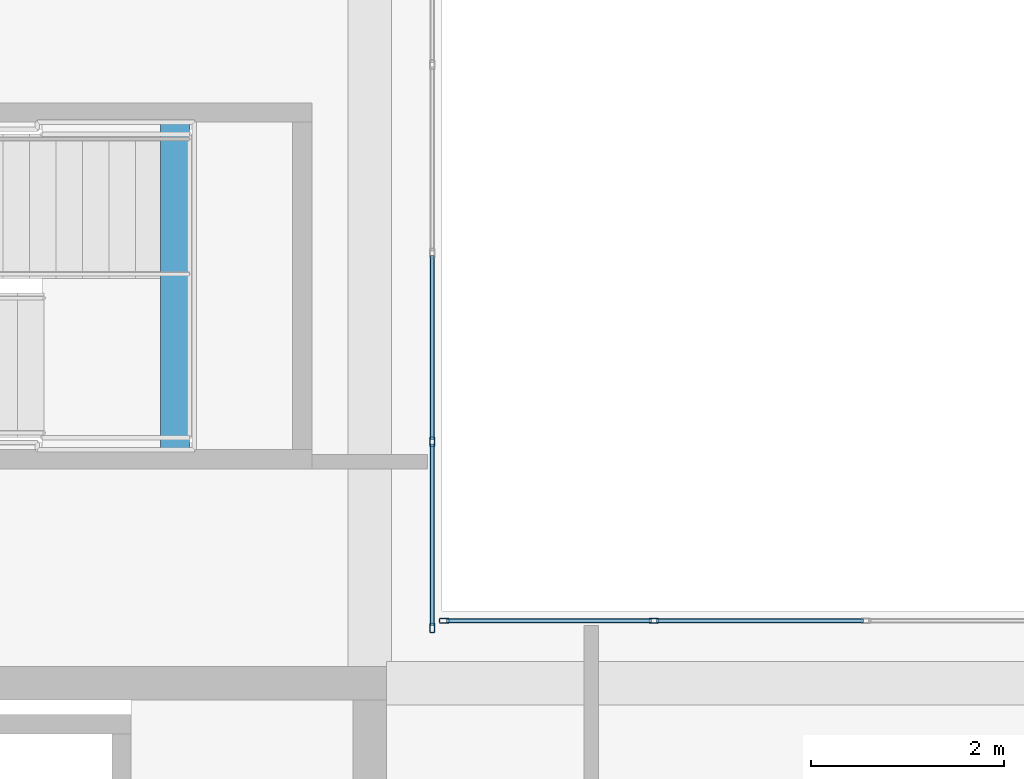
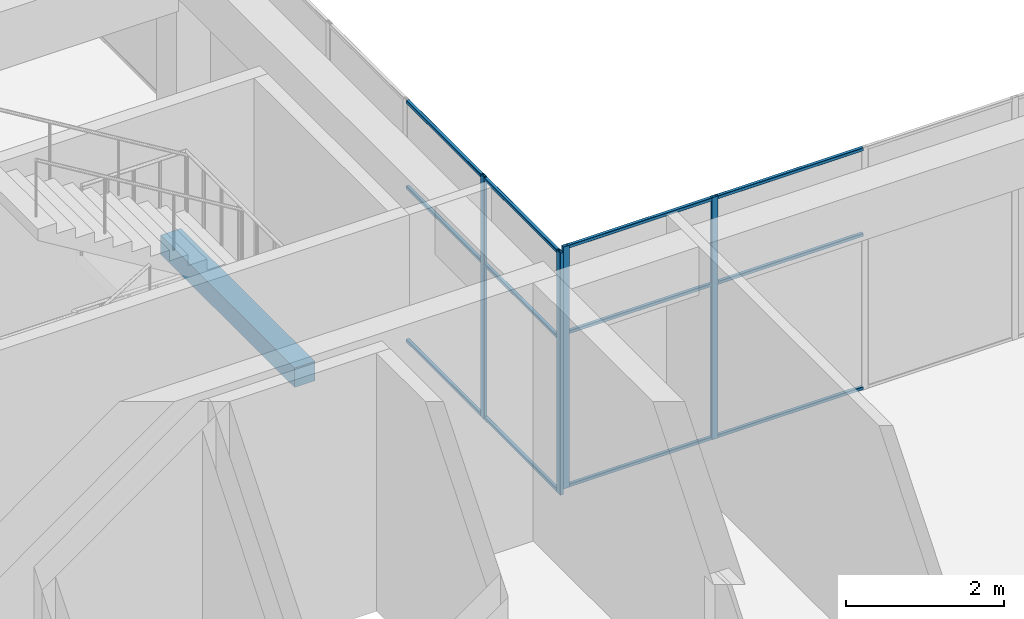
# One storey, part 14 of 34: 16 members, 1 beam, 2 elements without a shape of their own.
"""IFC4 building model written with IfcOpenShell, lengths in metres."""

from ifc_helpers import new_model, si_unit, direction, frame, origin, origin_2d, place, context, subcontext, project, spatial, rectangle, hollow_rectangle, extrude, material, layer, layer_set, material_profile, profile_set, type_object, element, aggregate, save


model = new_model("IFC4")

# Units and contexts
model_context = context("Model", 3, precision=1e-05, world=origin(), true_north=direction((0.0, 1.0)))
body_context = subcontext(model_context, "Body", "Model", "MODEL_VIEW")
ifc_project = project(units=[si_unit("LENGTHUNIT", "METRE"), si_unit("AREAUNIT", "SQUARE_METRE"), si_unit("VOLUMEUNIT", "CUBIC_METRE"), si_unit("PLANEANGLEUNIT", "RADIAN"), si_unit("MASSUNIT", "GRAM", prefix="KILO")], contexts=[model_context])

# Site, building, storey
site_placement = place(None, origin())
site = spatial("IfcSite", under=ifc_project, at=site_placement, CompositionType="ELEMENT")
building_placement = place(site_placement, origin())
building = spatial("IfcBuilding", under=site, at=building_placement, Name="Tuart Plaza Theatre", CompositionType="ELEMENT")
storey_placement = place(building_placement, frame((0.0, 0.0, 57.5)))
storey = spatial("IfcBuildingStorey", under=building, at=storey_placement, Name="L14", CompositionType="ELEMENT", Elevation=57.5)

# Beam
ifc_material_1 = material(Name="Concrete N40 (40 MPa)", Category="concrete")
ifc_material_profile_1 = material_profile(ifc_material_1, rectangle(XDim=0.300048828125, YDim=0.300048828125, at=origin_2d()), Name="BEAM 300x300 Concrete N40 (40 MPa)")
ifc_profile_set_1 = profile_set([ifc_material_profile_1], Name="Concrete N40 (40 MPa)")
beam_type = type_object("IfcBeamType", Name="BEAM 300x300 Concrete N40 (40 MPa)", PredefinedType="BEAM", material=ifc_profile_set_1)
beam_placement = place(storey_placement, frame((138.97998046875, 85.425048828125, 1.64990234375), z_axis=(0.0, 1.0, 0.0), x_axis=(-1.0, 0.0, 0.0)))
element("IfcBeam", 1, at=beam_placement, inside=storey, type_object=beam_type, Name="RB526", PredefinedType="BEAM", context=body_context, shape_type="SweptSolid", body=[
    extrude(rectangle(XDim=0.300048828125, YDim=0.300048828125, at=origin_2d()), origin(), (0.0, 0.0, 1.0), 3.39990234375),
])

# Curtain wall, members
ifc_material_2 = material(Name="Aluminium and glass", Category="aluminium")
ifc_layer = layer(ifc_material_2, 0.10009765625)
ifc_layer_set = layer_set([ifc_layer], Name="CURTAIN WALL 2000 module")
curtain_wall_type = type_object("IfcCurtainWallType", Name="CURTAIN WALL 2000 module", PredefinedType="NOTDEFINED", material=ifc_layer_set)
curtain_wall_1_placement = place(storey_placement, origin())
curtain_wall_1 = element("IfcCurtainWall", 2, at=curtain_wall_1_placement, inside=storey, type_object=curtain_wall_type, Name="CW115", PredefinedType="NOTDEFINED")
ifc_material_3 = material(Name="Aluminium 6063-T5", Category="aluminium")
ifc_material_profile_2 = material_profile(ifc_material_3, hollow_rectangle(XDim=0.050048828125, YDim=0.10009765625, WallThickness=0.00390625, InnerFilletRadius=0.00390625, OuterFilletRadius=0.008056640625, at=origin_2d()), Name="RHS 100x50x4")
ifc_profile_set_2 = profile_set([ifc_material_profile_2], Name="Aluminium 6063-T5")
member_type_1 = type_object("IfcMemberType", Name="MULLION RHS 100x50x4", PredefinedType="MULLION", material=ifc_profile_set_2)
member_1_placement = place(storey_placement, frame((143.949951171875, 83.64990234375, 0.0), z_axis=(0.0, 0.0, 1.0), x_axis=(0.0, -1.0, 0.0)))
member_1 = element("IfcMember", 3, at=member_1_placement, type_object=member_type_1, Name="CW115 mullion 4", PredefinedType="MULLION", context=body_context, shape_type="SweptSolid", body=[
    extrude(hollow_rectangle(XDim=0.050048828125, YDim=0.10009765625, WallThickness=0.00390625, InnerFilletRadius=0.00390625, OuterFilletRadius=0.008056640625, at=origin_2d()), origin(), (0.0, 0.0, 1.0), 3.75),
])
member_2_placement = place(storey_placement, frame((141.77490234375, 83.64990234375, 0.0), z_axis=(0.0, 0.0, 1.0), x_axis=(0.0, -1.0, 0.0)))
member_2 = element("IfcMember", 4, at=member_2_placement, type_object=member_type_1, Name="CW115 mullion 5", PredefinedType="MULLION", context=body_context, shape_type="SweptSolid", body=[
    extrude(hollow_rectangle(XDim=0.050048828125, YDim=0.10009765625, WallThickness=0.00390625, InnerFilletRadius=0.00390625, OuterFilletRadius=0.008056640625, at=origin_2d()), origin(), (0.0, 0.0, 1.0), 3.75),
])

curtain_wall_2_placement = place(storey_placement, origin())
curtain_wall_2 = element("IfcCurtainWall", 5, at=curtain_wall_2_placement, inside=storey, type_object=curtain_wall_type, Name="CW116", PredefinedType="NOTDEFINED")
member_3_placement = place(storey_placement, frame((141.64990234375, 83.574951171875, 0.0), z_axis=(0.0, 0.0, 1.0), x_axis=(-1.0, 0.0, 0.0)))
member_3 = element("IfcMember", 6, at=member_3_placement, type_object=member_type_1, Name="CW116 mullion 1", PredefinedType="MULLION", context=body_context, shape_type="SweptSolid", body=[
    extrude(hollow_rectangle(XDim=0.050048828125, YDim=0.10009765625, WallThickness=0.00390625, InnerFilletRadius=0.00390625, OuterFilletRadius=0.008056640625, at=origin_2d()), origin(), (0.0, 0.0, 1.0), 3.75),
])
member_4_placement = place(storey_placement, frame((141.64990234375, 85.507080078125, 0.0), z_axis=(0.0, 0.0, 1.0), x_axis=(-1.0, 0.0, 0.0)))
member_4 = element("IfcMember", 7, at=member_4_placement, type_object=member_type_1, Name="CW116 mullion 2", PredefinedType="MULLION", context=body_context, shape_type="SweptSolid", body=[
    extrude(hollow_rectangle(XDim=0.050048828125, YDim=0.10009765625, WallThickness=0.00390625, InnerFilletRadius=0.00390625, OuterFilletRadius=0.008056640625, at=origin_2d()), origin(), (0.0, 0.0, 1.0), 3.75),
])

# Member
ifc_material_4 = material(Name="Aluminium 6063-T5", Category="aluminium")
ifc_material_profile_3 = material_profile(ifc_material_4, hollow_rectangle(XDim=0.050048828125, YDim=0.050048828125, WallThickness=0.00390625, InnerFilletRadius=0.00390625, OuterFilletRadius=0.008056640625, at=origin_2d()), Name="RHS 50x50x4")
ifc_profile_set_3 = profile_set([ifc_material_profile_3], Name="Aluminium 6063-T5")
member_type_2 = type_object("IfcMemberType", Name="TRANSOM RHS 50x50x4", PredefinedType="USERDEFINED", material=ifc_profile_set_3)
member_5_placement = place(storey_placement, frame((146.125, 83.64990234375, 0.02490234375), z_axis=(-1.0, 0.0, 0.0), x_axis=(0.0, -1.0, 0.0)))
member_5 = element("IfcMember", 8, at=member_5_placement, type_object=member_type_2, Name="CW115 transom 3.1", ObjectType="TRANSOM", PredefinedType="USERDEFINED", context=body_context, shape_type="SweptSolid", body=[
    extrude(hollow_rectangle(XDim=0.050048828125, YDim=0.050048828125, WallThickness=0.00390625, InnerFilletRadius=0.00390625, OuterFilletRadius=0.008056640625, at=origin_2d()), origin(), (0.0, 0.0, 1.0), 2.14990234375),
])

member_6_placement = place(storey_placement, frame((146.125, 83.64990234375, 2.39990234375), z_axis=(-1.0, 0.0, 0.0), x_axis=(0.0, -1.0, 0.0)))
member_6 = element("IfcMember", 9, at=member_6_placement, type_object=member_type_2, Name="CW115 transom 3.2", ObjectType="TRANSOM", PredefinedType="USERDEFINED", context=body_context, shape_type="SweptSolid", body=[
    extrude(hollow_rectangle(XDim=0.050048828125, YDim=0.050048828125, WallThickness=0.00390625, InnerFilletRadius=0.00390625, OuterFilletRadius=0.008056640625, at=origin_2d()), origin(), (0.0, 0.0, 1.0), 2.14990234375),
])

member_7_placement = place(storey_placement, frame((146.125, 83.64990234375, 3.72509765625), z_axis=(-1.0, 0.0, 0.0), x_axis=(0.0, -1.0, 0.0)))
member_7 = element("IfcMember", 10, at=member_7_placement, type_object=member_type_2, Name="CW115 transom 3.3", ObjectType="TRANSOM", PredefinedType="USERDEFINED", context=body_context, shape_type="SweptSolid", body=[
    extrude(hollow_rectangle(XDim=0.050048828125, YDim=0.050048828125, WallThickness=0.00390625, InnerFilletRadius=0.00390625, OuterFilletRadius=0.008056640625, at=origin_2d()), origin(), (0.0, 0.0, 1.0), 2.14990234375),
])

member_8_placement = place(storey_placement, frame((143.925048828125, 83.64990234375, 0.02490234375), z_axis=(-1.0, 0.0, 0.0), x_axis=(0.0, -1.0, 0.0)))
member_8 = element("IfcMember", 11, at=member_8_placement, type_object=member_type_2, Name="CW115 transom 4.1", ObjectType="TRANSOM", PredefinedType="USERDEFINED", context=body_context, shape_type="SweptSolid", body=[
    extrude(hollow_rectangle(XDim=0.050048828125, YDim=0.050048828125, WallThickness=0.00390625, InnerFilletRadius=0.00390625, OuterFilletRadius=0.008056640625, at=origin_2d()), origin(), (0.0, 0.0, 1.0), 2.125),
])

member_9_placement = place(storey_placement, frame((143.925048828125, 83.64990234375, 2.39990234375), z_axis=(-1.0, 0.0, 0.0), x_axis=(0.0, -1.0, 0.0)))
member_9 = element("IfcMember", 12, at=member_9_placement, type_object=member_type_2, Name="CW115 transom 4.2", ObjectType="TRANSOM", PredefinedType="USERDEFINED", context=body_context, shape_type="SweptSolid", body=[
    extrude(hollow_rectangle(XDim=0.050048828125, YDim=0.050048828125, WallThickness=0.00390625, InnerFilletRadius=0.00390625, OuterFilletRadius=0.008056640625, at=origin_2d()), origin(), (0.0, 0.0, 1.0), 2.125),
])

member_10_placement = place(storey_placement, frame((143.925048828125, 83.64990234375, 3.72509765625), z_axis=(-1.0, 0.0, 0.0), x_axis=(0.0, -1.0, 0.0)))
member_10 = element("IfcMember", 13, at=member_10_placement, type_object=member_type_2, Name="CW115 transom 4.3", ObjectType="TRANSOM", PredefinedType="USERDEFINED", context=body_context, shape_type="SweptSolid", body=[
    extrude(hollow_rectangle(XDim=0.050048828125, YDim=0.050048828125, WallThickness=0.00390625, InnerFilletRadius=0.00390625, OuterFilletRadius=0.008056640625, at=origin_2d()), origin(), (0.0, 0.0, 1.0), 2.125),
])

aggregate(curtain_wall_1, [member_1, member_2, member_5, member_6, member_7, member_8, member_9, member_10])

member_11_placement = place(storey_placement, frame((141.64990234375, 83.60009765625, 0.02490234375), z_axis=(0.0, 1.0, 0.0), x_axis=(-1.0, 0.0, 0.0)))
member_11 = element("IfcMember", 14, at=member_11_placement, type_object=member_type_2, Name="CW116 transom 1.1", ObjectType="TRANSOM", PredefinedType="USERDEFINED", context=body_context, shape_type="SweptSolid", body=[
    extrude(hollow_rectangle(XDim=0.050048828125, YDim=0.050048828125, WallThickness=0.00390625, InnerFilletRadius=0.00390625, OuterFilletRadius=0.008056640625, at=origin_2d()), origin(), (0.0, 0.0, 1.0), 1.882080078125),
])

member_12_placement = place(storey_placement, frame((141.64990234375, 83.60009765625, 2.39990234375), z_axis=(0.0, 1.0, 0.0), x_axis=(-1.0, 0.0, 0.0)))
member_12 = element("IfcMember", 15, at=member_12_placement, type_object=member_type_2, Name="CW116 transom 1.2", ObjectType="TRANSOM", PredefinedType="USERDEFINED", context=body_context, shape_type="SweptSolid", body=[
    extrude(hollow_rectangle(XDim=0.050048828125, YDim=0.050048828125, WallThickness=0.00390625, InnerFilletRadius=0.00390625, OuterFilletRadius=0.008056640625, at=origin_2d()), origin(), (0.0, 0.0, 1.0), 1.882080078125),
])

member_13_placement = place(storey_placement, frame((141.64990234375, 83.60009765625, 3.72509765625), z_axis=(0.0, 1.0, 0.0), x_axis=(-1.0, 0.0, 0.0)))
member_13 = element("IfcMember", 16, at=member_13_placement, type_object=member_type_2, Name="CW116 transom 1.3", ObjectType="TRANSOM", PredefinedType="USERDEFINED", context=body_context, shape_type="SweptSolid", body=[
    extrude(hollow_rectangle(XDim=0.050048828125, YDim=0.050048828125, WallThickness=0.00390625, InnerFilletRadius=0.00390625, OuterFilletRadius=0.008056640625, at=origin_2d()), origin(), (0.0, 0.0, 1.0), 1.882080078125),
])

member_14_placement = place(storey_placement, frame((141.64990234375, 85.5322265625, 0.02490234375), z_axis=(0.0, 1.0, 0.0), x_axis=(-1.0, 0.0, 0.0)))
member_14 = element("IfcMember", 17, at=member_14_placement, type_object=member_type_2, Name="CW116 transom 2.1", ObjectType="TRANSOM", PredefinedType="USERDEFINED", context=body_context, shape_type="SweptSolid", body=[
    extrude(hollow_rectangle(XDim=0.050048828125, YDim=0.050048828125, WallThickness=0.00390625, InnerFilletRadius=0.00390625, OuterFilletRadius=0.008056640625, at=origin_2d()), origin(), (0.0, 0.0, 1.0), 1.906982421875),
])

member_15_placement = place(storey_placement, frame((141.64990234375, 85.5322265625, 2.39990234375), z_axis=(0.0, 1.0, 0.0), x_axis=(-1.0, 0.0, 0.0)))
member_15 = element("IfcMember", 18, at=member_15_placement, type_object=member_type_2, Name="CW116 transom 2.2", ObjectType="TRANSOM", PredefinedType="USERDEFINED", context=body_context, shape_type="SweptSolid", body=[
    extrude(hollow_rectangle(XDim=0.050048828125, YDim=0.050048828125, WallThickness=0.00390625, InnerFilletRadius=0.00390625, OuterFilletRadius=0.008056640625, at=origin_2d()), origin(), (0.0, 0.0, 1.0), 1.906982421875),
])

member_16_placement = place(storey_placement, frame((141.64990234375, 85.5322265625, 3.72509765625), z_axis=(0.0, 1.0, 0.0), x_axis=(-1.0, 0.0, 0.0)))
member_16 = element("IfcMember", 19, at=member_16_placement, type_object=member_type_2, Name="CW116 transom 2.3", ObjectType="TRANSOM", PredefinedType="USERDEFINED", context=body_context, shape_type="SweptSolid", body=[
    extrude(hollow_rectangle(XDim=0.050048828125, YDim=0.050048828125, WallThickness=0.00390625, InnerFilletRadius=0.00390625, OuterFilletRadius=0.008056640625, at=origin_2d()), origin(), (0.0, 0.0, 1.0), 1.906982421875),
])

aggregate(curtain_wall_2, [member_3, member_4, member_11, member_12, member_13, member_14, member_15, member_16])

save(model, "model.ifc")
